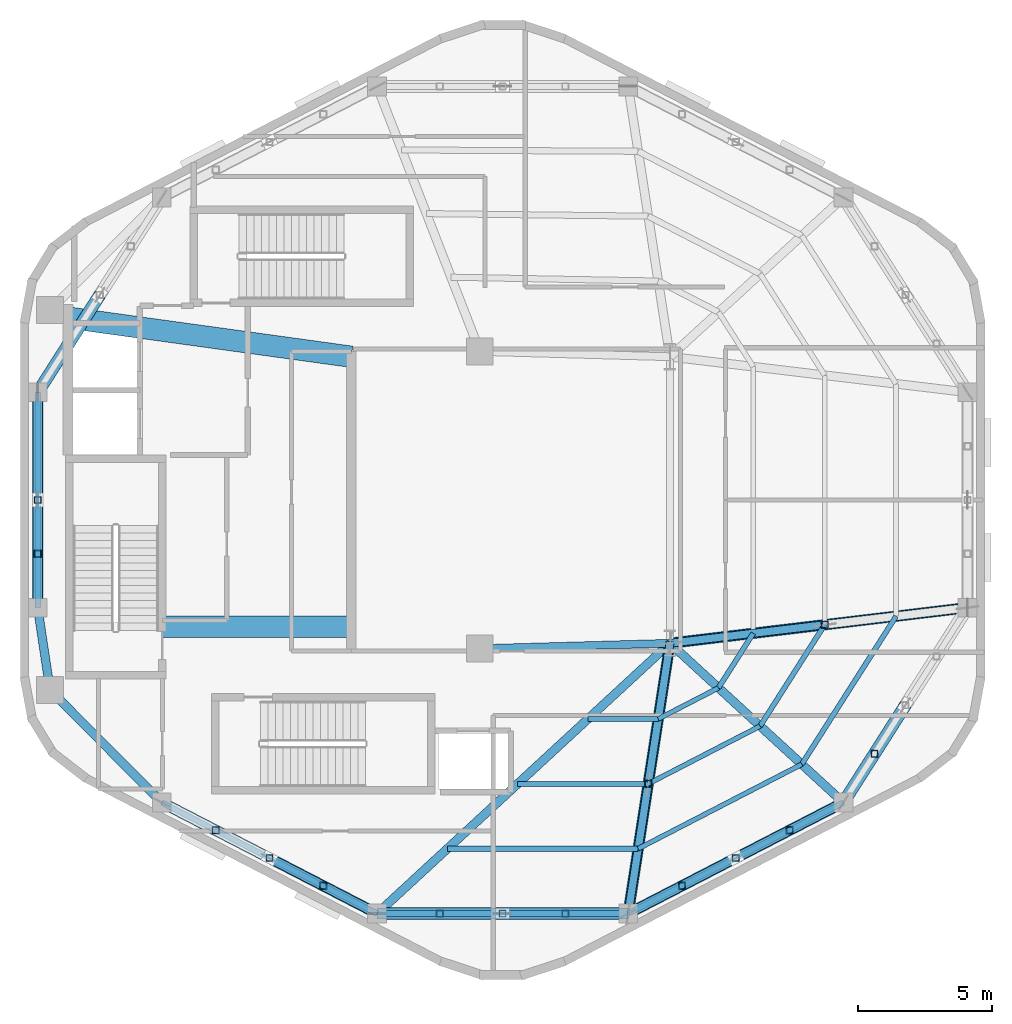
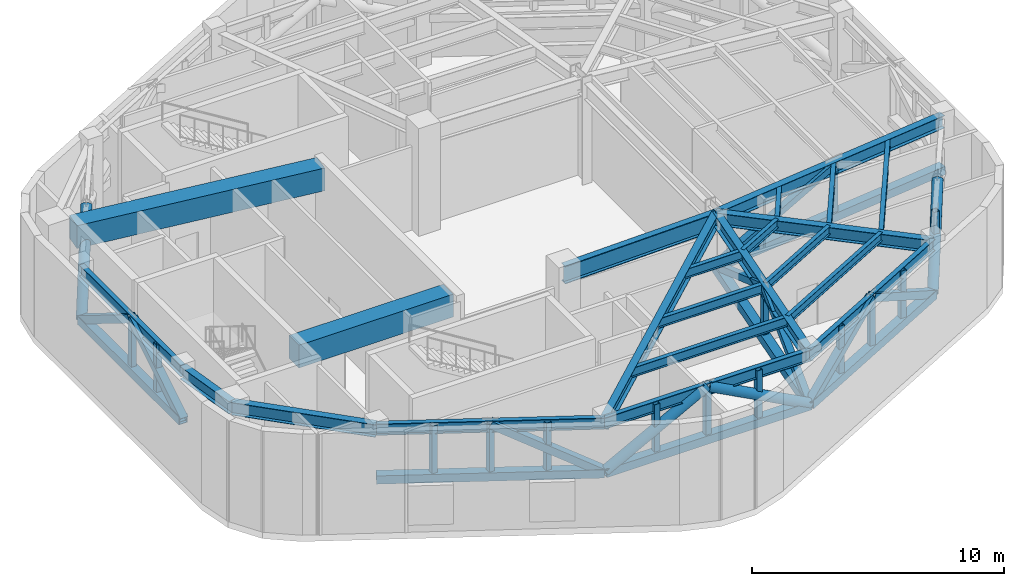
# One storey, part 2 of 8: 32 members, 22 beams.
"""IFC4 building model written with IfcOpenShell, lengths in metres."""

from ifc_helpers import new_model, si_unit, direction, frame, origin, origin_2d, place, context, subcontext, project, spatial, rectangle, hollow_rectangle, hollow_circle, i_section, extrude, material, material_profile, profile_set, type_object, element, save


model = new_model("IFC4")

# Units and contexts
model_context = context("Model", 3, precision=1e-05, world=origin(), true_north=direction((0.0, 1.0)))
body_context = subcontext(model_context, "Body", "Model", "MODEL_VIEW")
ifc_project = project(units=[si_unit("LENGTHUNIT", "METRE"), si_unit("AREAUNIT", "SQUARE_METRE"), si_unit("VOLUMEUNIT", "CUBIC_METRE"), si_unit("PLANEANGLEUNIT", "RADIAN"), si_unit("MASSUNIT", "GRAM", prefix="KILO"), si_unit("THERMODYNAMICTEMPERATUREUNIT", "KELVIN"), si_unit("POWERUNIT", "WATT")], contexts=[model_context])

# Site, building, storey
site_placement = place(None, origin())
site = spatial("IfcSite", under=ifc_project, at=site_placement, CompositionType="ELEMENT")
building_placement = place(site_placement, origin())
building = spatial("IfcBuilding", under=site, at=building_placement, Name="Skarre Station Tower", CompositionType="ELEMENT")
storey_placement = place(building_placement, frame((0.0, 0.0, 279.89990234375)))
storey = spatial("IfcBuildingStorey", under=building, at=storey_placement, Name="L76", CompositionType="ELEMENT", Elevation=279.89990234375)

# Beams
ifc_material_1 = material(Name="Concrete C70/85", Category="concrete")
ifc_material_profile_1 = material_profile(ifc_material_1, rectangle(XDim=0.800048828125, YDim=1.10009765625, at=origin_2d()), Name="Concrete C70/85")
ifc_profile_set_1 = profile_set([ifc_material_profile_1], Name="Concrete C70/85")
beam_type_1 = type_object("IfcBeamType", Name="RC Core Coupling Lintel 800x1100", PredefinedType="LINTEL", material=ifc_profile_set_1)
beam_1_placement = place(storey_placement, frame((20.489990234375, 19.260009765625, 4.340087890625), z_axis=(1.0, 0.0, 0.0), x_axis=(0.0, 1.0, 0.0)))
element("IfcBeam", 1, at=beam_1_placement, inside=storey, type_object=beam_type_1, Name="L76 South Core Coupling Lintel", PredefinedType="LINTEL", context=body_context, shape_type="SweptSolid", body=[
    extrude(rectangle(XDim=0.800048828125, YDim=1.10009765625, at=origin_2d()), origin(), (0.0, 0.0, 1.0), 7.06005859375),
])
beam_2_placement = place(storey_placement, frame((17.050048828125, 30.800048828125, 4.340087890625), z_axis=(0.990599723633, -0.136792498109, 0.0), x_axis=(0.136792498109, 0.990599723633, 0.0)))
element("IfcBeam", 2, at=beam_2_placement, inside=storey, type_object=beam_type_1, Name="L76 North Core Coupling Lintel", PredefinedType="LINTEL", context=body_context, shape_type="SweptSolid", body=[
    extrude(rectangle(XDim=0.800048828125, YDim=1.10009765625, at=origin_2d()), origin(), (0.0, 0.0, 1.0), 10.599609375),
])
ifc_material_2 = material(Name="Steel ASTM A992 Grade 50", Category="steel")
ifc_material_profile_2 = material_profile(ifc_material_2, i_section(OverallWidth=0.323974609375, OverallDepth=0.611083984375, WebThickness=0.012939453125, FlangeThickness=0.01904296875, at=origin_2d()), Name="Steel ASTM A992 Grade 50")
ifc_profile_set_2 = profile_set([ifc_material_profile_2], Name="Steel ASTM A992 Grade 50")
beam_type_2 = type_object("IfcBeamType", Name="Steel Beam W24X104", PredefinedType="BEAM", material=ifc_profile_set_2)
beam_3_placement = place(storey_placement, frame((16.300048828125, 16.89990234375, 4.585205078125), z_axis=(-0.148739188492, 0.988876460336, 0.0), x_axis=(-0.988876460336, -0.148739188492, 0.0)))
element("IfcBeam", 3, at=beam_3_placement, inside=storey, type_object=beam_type_2, Name="L76 Radial Floor Girder F2C2", PredefinedType="BEAM", context=body_context, shape_type="SweptSolid", body=[
    extrude(i_section(OverallWidth=0.323974609375, OverallDepth=0.611083984375, WebThickness=0.012939453125, FlangeThickness=0.01904296875, at=origin_2d()), origin(), (0.0, 0.0, 1.0), 3.11376953125),
])
beam_4_placement = place(storey_placement, frame((16.300048828125, 16.89990234375, 4.585205078125), z_axis=(0.704979413242, -0.709227768002, 0.0), x_axis=(0.709227768002, 0.704979413242, 0.0)))
element("IfcBeam", 4, at=beam_4_placement, inside=storey, type_object=beam_type_2, Name="L76 Radial Floor Girder F3C1", PredefinedType="BEAM", context=body_context, shape_type="SweptSolid", body=[
    extrude(i_section(OverallWidth=0.323974609375, OverallDepth=0.611083984375, WebThickness=0.012939453125, FlangeThickness=0.01904296875, at=origin_2d()), origin(), (0.0, 0.0, 1.0), 5.919189453125),
])
beam_5_placement = place(storey_placement, frame((39.449951171875, 18.64990234375, 4.585205078125), z_axis=(-0.734822935818, -0.678258986668, 0.0), x_axis=(0.678258986668, -0.734822935818, 0.0)))
element("IfcBeam", 5, at=beam_5_placement, inside=storey, type_object=beam_type_2, Name="L76 Radial Floor Girder F3C2", PredefinedType="BEAM", context=body_context, shape_type="SweptSolid", body=[
    extrude(i_section(OverallWidth=0.323974609375, OverallDepth=0.611083984375, WebThickness=0.012939453125, FlangeThickness=0.01904296875, at=origin_2d()), origin(), (0.0, 0.0, 1.0), 14.886474609375),
])
beam_6_placement = place(storey_placement, frame((39.449951171875, 18.64990234375, 4.585205078125), z_axis=(-0.152789762931, -0.988258715288, 0.0), x_axis=(0.988258715288, -0.152789762931, 0.0)))
element("IfcBeam", 6, at=beam_6_placement, inside=storey, type_object=beam_type_2, Name="L76 Radial Floor Girder F4C1", PredefinedType="BEAM", context=body_context, shape_type="SweptSolid", body=[
    extrude(i_section(OverallWidth=0.323974609375, OverallDepth=0.611083984375, WebThickness=0.012939453125, FlangeThickness=0.01904296875, at=origin_2d()), origin(), (0.0, 0.0, 1.0), 10.216796875),
])
beam_7_placement = place(storey_placement, frame((39.449951171875, 18.64990234375, 4.585205078125), z_axis=(0.736547671183, -0.676385635621, 0.0), x_axis=(0.676385635621, 0.736547671183, 0.0)))
element("IfcBeam", 7, at=beam_7_placement, inside=storey, type_object=beam_type_2, Name="L76 Radial Floor Girder F4C2", PredefinedType="BEAM", context=body_context, shape_type="SweptSolid", body=[
    extrude(i_section(OverallWidth=0.323974609375, OverallDepth=0.611083984375, WebThickness=0.012939453125, FlangeThickness=0.01904296875, at=origin_2d()), origin(), (0.0, 0.0, 1.0), 8.793701171875),
])
beam_8_placement = place(storey_placement, frame((39.449951171875, 18.64990234375, 4.585205078125), z_axis=(0.99292393128, 0.118752122891, 0.0), x_axis=(-0.118752122891, 0.99292393128, 0.0)))
element("IfcBeam", 8, at=beam_8_placement, inside=storey, type_object=beam_type_2, Name="L76 Radial Floor Girder F5C1", PredefinedType="BEAM", context=body_context, shape_type="SweptSolid", body=[
    extrude(i_section(OverallWidth=0.323974609375, OverallDepth=0.611083984375, WebThickness=0.012939453125, FlangeThickness=0.01904296875, at=origin_2d()), origin(), (0.0, 0.0, 1.0), 11.192138671875),
])
ifc_material_profile_3 = material_profile(ifc_material_2, i_section(OverallWidth=0.2919921875, OverallDepth=0.85888671875, WebThickness=0.01708984375, FlangeThickness=0.031005859375, at=origin_2d()), Name="Steel ASTM A992 Grade 50")
ifc_profile_set_3 = profile_set([ifc_material_profile_3], Name="Steel ASTM A992 Grade 50")
beam_type_3 = type_object("IfcBeamType", Name="Steel Beam W33X169", PredefinedType="BEAM", material=ifc_profile_set_3)
beam_9_placement = place(storey_placement, frame((32.35009765625, 18.449951171875, 4.461181640625), z_axis=(0.999603666405, 0.028151556095, 0.0), x_axis=(-0.028151556095, 0.999603666405, 0.0)))
element("IfcBeam", 9, at=beam_9_placement, inside=storey, type_object=beam_type_3, Name="L76 Atrium South Edge Girder", PredefinedType="BEAM", context=body_context, shape_type="SweptSolid", body=[
    extrude(i_section(OverallWidth=0.2919921875, OverallDepth=0.85888671875, WebThickness=0.01708984375, FlangeThickness=0.031005859375, at=origin_2d()), origin(), (0.0, 0.0, 1.0), 7.102783203125),
])
ifc_material_profile_4 = material_profile(ifc_material_2, i_section(OverallWidth=0.177978515625, OverallDepth=0.403076171875, WebThickness=0.008056640625, FlangeThickness=0.010986328125, at=origin_2d()), Name="Steel ASTM A992 Grade 50")
ifc_profile_set_4 = profile_set([ifc_material_profile_4], Name="Steel ASTM A992 Grade 50")
beam_type_4 = type_object("IfcBeamType", Name="Steel Joist W16X36", PredefinedType="JOIST", material=ifc_profile_set_4)
beam_10_placement = place(storey_placement, frame((39.012939453125, 15.822998046875, 4.689208984375), z_axis=(0.888569970054, 0.458741112522, 0.0), x_axis=(-0.458741112522, 0.888569970054, 0.0)))
element("IfcBeam", 10, at=beam_10_placement, inside=storey, type_object=beam_type_4, Name="L76 Auxiliary Composite Joist 15", PredefinedType="JOIST", context=body_context, shape_type="SweptSolid", body=[
    extrude(i_section(OverallWidth=0.177978515625, OverallDepth=0.403076171875, WebThickness=0.008056640625, FlangeThickness=0.010986328125, at=origin_2d()), origin(), (0.0, 0.0, 1.0), 2.533203125),
])
beam_11_placement = place(storey_placement, frame((38.637939453125, 13.39990234375, 4.689208984375), z_axis=(0.88866637077, 0.458554338614, 0.0), x_axis=(-0.458554338614, 0.88866637077, 0.0)))
element("IfcBeam", 11, at=beam_11_placement, inside=storey, type_object=beam_type_4, Name="L76 Auxiliary Composite Joist 16", PredefinedType="JOIST", context=body_context, shape_type="SweptSolid", body=[
    extrude(i_section(OverallWidth=0.177978515625, OverallDepth=0.403076171875, WebThickness=0.008056640625, FlangeThickness=0.010986328125, at=origin_2d()), origin(), (0.0, 0.0, 1.0), 4.703857421875),
])
beam_12_placement = place(storey_placement, frame((38.263916015625, 10.97607421875, 4.689208984375), z_axis=(0.888578636, 0.458724326414, 0.0), x_axis=(-0.458724326414, 0.888578636, 0.0)))
element("IfcBeam", 12, at=beam_12_placement, inside=storey, type_object=beam_type_4, Name="L76 Auxiliary Composite Joist 17", PredefinedType="JOIST", context=body_context, shape_type="SweptSolid", body=[
    extrude(i_section(OverallWidth=0.177978515625, OverallDepth=0.403076171875, WebThickness=0.008056640625, FlangeThickness=0.010986328125, at=origin_2d()), origin(), (0.0, 0.0, 1.0), 6.875244140625),
])
ifc_material_profile_5 = material_profile(ifc_material_2, i_section(OverallWidth=0.19091796875, OverallDepth=0.45703125, WebThickness=0.009033203125, FlangeThickness=0.013916015625, at=origin_2d()), Name="Steel ASTM A992 Grade 50")
ifc_profile_set_5 = profile_set([ifc_material_profile_5], Name="Steel ASTM A992 Grade 50")
beam_type_5 = type_object("IfcBeamType", Name="Steel Joist W18X50", PredefinedType="JOIST", material=ifc_profile_set_5)
beam_13_placement = place(storey_placement, frame((36.386962890625, 15.822998046875, 4.662109375), z_axis=(1.0, 0.0, 0.0), x_axis=(0.0, 1.0, 0.0)))
element("IfcBeam", 13, at=beam_13_placement, inside=storey, type_object=beam_type_5, Name="L76 Auxiliary Composite Joist 12", PredefinedType="JOIST", context=body_context, shape_type="SweptSolid", body=[
    extrude(i_section(OverallWidth=0.19091796875, OverallDepth=0.45703125, WebThickness=0.009033203125, FlangeThickness=0.013916015625, at=origin_2d()), origin(), (0.0, 0.0, 1.0), 2.6259765625),
])
beam_14_placement = place(storey_placement, frame((33.761962890625, 13.39990234375, 4.662109375), z_axis=(1.0, 0.0, 0.0), x_axis=(0.0, 1.0, 0.0)))
element("IfcBeam", 14, at=beam_14_placement, inside=storey, type_object=beam_type_5, Name="L76 Auxiliary Composite Joist 13", PredefinedType="JOIST", context=body_context, shape_type="SweptSolid", body=[
    extrude(i_section(OverallWidth=0.19091796875, OverallDepth=0.45703125, WebThickness=0.009033203125, FlangeThickness=0.013916015625, at=origin_2d()), origin(), (0.0, 0.0, 1.0), 4.8759765625),
])
beam_15_placement = place(storey_placement, frame((31.135986328125, 10.97607421875, 4.662109375), z_axis=(1.0, 0.0, 0.0), x_axis=(0.0, 1.0, 0.0)))
element("IfcBeam", 15, at=beam_15_placement, inside=storey, type_object=beam_type_5, Name="L76 Auxiliary Composite Joist 14", PredefinedType="JOIST", context=body_context, shape_type="SweptSolid", body=[
    extrude(i_section(OverallWidth=0.19091796875, OverallDepth=0.45703125, WebThickness=0.009033203125, FlangeThickness=0.013916015625, at=origin_2d()), origin(), (0.0, 0.0, 1.0), 7.1279296875),
])
beam_16_placement = place(storey_placement, frame((41.263916015625, 16.985107421875, 4.662109375), z_axis=(0.537437848622, 0.843303361116, 0.0), x_axis=(-0.843303361116, 0.537437848622, 0.0)))
element("IfcBeam", 16, at=beam_16_placement, inside=storey, type_object=beam_type_5, Name="L76 Auxiliary Composite Joist 18", PredefinedType="JOIST", context=body_context, shape_type="SweptSolid", body=[
    extrude(i_section(OverallWidth=0.19091796875, OverallDepth=0.45703125, WebThickness=0.009033203125, FlangeThickness=0.013916015625, at=origin_2d()), origin(), (0.0, 0.0, 1.0), 2.415283203125),
])
beam_17_placement = place(storey_placement, frame((42.818115234375, 15.556884765625, 4.662109375), z_axis=(0.53731551376, 0.843381312737, 0.0), x_axis=(-0.843381312737, 0.53731551376, 0.0)))
element("IfcBeam", 17, at=beam_17_placement, inside=storey, type_object=beam_type_5, Name="L76 Auxiliary Composite Joist 19", PredefinedType="JOIST", context=body_context, shape_type="SweptSolid", body=[
    extrude(i_section(OverallWidth=0.19091796875, OverallDepth=0.45703125, WebThickness=0.009033203125, FlangeThickness=0.013916015625, at=origin_2d()), origin(), (0.0, 0.0, 1.0), 4.48681640625),
])
beam_18_placement = place(storey_placement, frame((44.373046875, 14.1298828125, 4.662109375), z_axis=(0.537292232804, 0.843396144507, 0.0), x_axis=(-0.843396144507, 0.537292232804, 0.0)))
element("IfcBeam", 18, at=beam_18_placement, inside=storey, type_object=beam_type_5, Name="L76 Auxiliary Composite Joist 20", PredefinedType="JOIST", context=body_context, shape_type="SweptSolid", body=[
    extrude(i_section(OverallWidth=0.19091796875, OverallDepth=0.45703125, WebThickness=0.009033203125, FlangeThickness=0.013916015625, at=origin_2d()), origin(), (0.0, 0.0, 1.0), 6.556884765625),
])
ifc_material_profile_6 = material_profile(ifc_material_2, i_section(OverallWidth=0.214111328125, OverallDepth=0.549072265625, WebThickness=0.014892578125, FlangeThickness=0.02392578125, at=origin_2d()), Name="Steel ASTM A992 Grade 50")
ifc_profile_set_6 = profile_set([ifc_material_profile_6], Name="Steel ASTM A992 Grade 50")
beam_type_6 = type_object("IfcBeamType", Name="Steel Spandrel W21X93", PredefinedType="SPANDREL", material=ifc_profile_set_6)
beam_19_placement = place(storey_placement, frame((15.8369140625, 28.02099609375, 4.6162109375), z_axis=(0.0, -1.0, 0.0), x_axis=(1.0, 0.0, 0.0)))
element("IfcBeam", 19, at=beam_19_placement, inside=storey, type_object=beam_type_6, Name="L76 Facet Spandrel Beam 5", PredefinedType="SPANDREL", context=body_context, shape_type="SweptSolid", body=[
    extrude(i_section(OverallWidth=0.214111328125, OverallDepth=0.549072265625, WebThickness=0.014892578125, FlangeThickness=0.02392578125, at=origin_2d()), origin(), (0.0, 0.0, 1.0), 8.0419921875),
])
beam_20_placement = place(storey_placement, frame((20.472900390625, 12.701904296875, 4.6162109375), z_axis=(0.888610011727, -0.458663544505, 0.0), x_axis=(0.458663544505, 0.888610011727, 0.0)))
element("IfcBeam", 20, at=beam_20_placement, inside=storey, type_object=beam_type_6, Name="L76 Facet Spandrel Beam 7", PredefinedType="SPANDREL", context=body_context, shape_type="SweptSolid", body=[
    extrude(i_section(OverallWidth=0.214111328125, OverallDepth=0.549072265625, WebThickness=0.014892578125, FlangeThickness=0.02392578125, at=origin_2d()), origin(), (0.0, 0.0, 1.0), 9.045654296875),
])
beam_21_placement = place(storey_placement, frame((28.510986328125, 8.552978515625, 4.6162109375), z_axis=(1.0, 0.0, 0.0), x_axis=(0.0, 1.0, 0.0)))
element("IfcBeam", 21, at=beam_21_placement, inside=storey, type_object=beam_type_6, Name="L76 Facet Spandrel Beam 8", PredefinedType="SPANDREL", context=body_context, shape_type="SweptSolid", body=[
    extrude(i_section(OverallWidth=0.214111328125, OverallDepth=0.549072265625, WebThickness=0.014892578125, FlangeThickness=0.02392578125, at=origin_2d()), origin(), (0.0, 0.0, 1.0), 9.3779296875),
])
beam_22_placement = place(storey_placement, frame((37.888916015625, 8.552978515625, 4.6162109375), z_axis=(0.888610011727, 0.458663544505, 0.0), x_axis=(-0.458663544505, 0.888610011727, 0.0)))
element("IfcBeam", 22, at=beam_22_placement, inside=storey, type_object=beam_type_6, Name="L76 Facet Spandrel Beam 9", PredefinedType="SPANDREL", context=body_context, shape_type="SweptSolid", body=[
    extrude(i_section(OverallWidth=0.214111328125, OverallDepth=0.549072265625, WebThickness=0.014892578125, FlangeThickness=0.02392578125, at=origin_2d()), origin(), (0.0, 0.0, 1.0), 9.045654296875),
])

# Members
ifc_material_3 = material(Name="Steel ASTM A500 Grade C", Category="steel")
ifc_material_profile_7 = material_profile(ifc_material_3, hollow_circle(Radius=0.228515625, WallThickness=0.02001953125, at=origin_2d()), Name="Steel ASTM A500 Grade C")
ifc_profile_set_7 = profile_set([ifc_material_profile_7], Name="Steel ASTM A500 Grade C")
member_type_1 = type_object("IfcMemberType", Name="Steel Truss Brace CHS457X20", PredefinedType="BRACE", material=ifc_profile_set_7)
member_1_placement = place(storey_placement, frame((15.8369140625, 28.02099609375, 2.25), z_axis=(0.465344099577, 0.73048486616, 0.499846705801), x_axis=(-0.84340509311, 0.537278185782, 0.0)))
element("IfcMember", 23, at=member_1_placement, inside=storey, type_object=member_type_1, Name="L76 Belt Truss Chevron Diagonal 4B", PredefinedType="BRACE", context=body_context, shape_type="SweptSolid", body=[
    extrude(hollow_circle(Radius=0.228515625, WallThickness=0.02001953125, at=origin_2d()), origin(), (0.0, 0.0, 1.0), 4.9814453125),
])
for number, where, z_axis, x_axis, name in (
    (24, (28.510986328125, 8.552978515625, 2.25), (0.883195489421, 0.0, 0.469005039915), (0.0, 1.0, 0.0), "L76 Belt Truss Chevron Diagonal 8A"),
    (25, (37.888916015625, 8.552978515625, 2.25), (-0.883195489421, 0.0, 0.469005039915), (0.0, -1.0, 0.0), "L76 Belt Truss Chevron Diagonal 8B"),
):
    element("IfcMember", number, at=place(storey_placement, frame(where, z_axis=z_axis, x_axis=x_axis)), inside=storey, type_object=member_type_1, Name=name, PredefinedType="BRACE", context=body_context, shape_type="SweptSolid", body=[
        extrude(hollow_circle(Radius=0.228515625, WallThickness=0.02001953125, at=origin_2d()), origin(), (0.0, 0.0, 1.0), 5.30908203125),
    ])
member_2_placement = place(storey_placement, frame((45.927001953125, 12.701904296875, 2.25), z_axis=(0.465394081411, 0.730416282378, 0.499900393503), x_axis=(-0.843356079444, 0.537355118395, 0.0)))
element("IfcMember", 26, at=member_2_placement, inside=storey, type_object=member_type_1, Name="L76 Belt Truss Chevron Diagonal 10A", PredefinedType="BRACE", context=body_context, shape_type="SweptSolid", body=[
    extrude(hollow_circle(Radius=0.228515625, WallThickness=0.02001953125, at=origin_2d()), origin(), (0.0, 0.0, 1.0), 4.98095703125),
])
ifc_material_profile_8 = material_profile(ifc_material_3, hollow_rectangle(XDim=0.300048828125, YDim=0.300048828125, WallThickness=0.01611328125, at=origin_2d()), Name="Steel ASTM A500 Grade C")
ifc_profile_set_8 = profile_set([ifc_material_profile_8], Name="Steel ASTM A500 Grade C")
member_type_2 = type_object("IfcMemberType", Name="Steel Truss Brace HSS300X300X16", PredefinedType="BRACE", material=ifc_profile_set_8)
member_3_placement = place(storey_placement, frame((39.449951171875, 18.64990234375, 2.25), z_axis=(-0.138402771463, -0.894832590961, 0.424404650075), x_axis=(0.988249181952, -0.152851412722, 0.0)))
element("IfcMember", 27, at=member_3_placement, inside=storey, type_object=member_type_2, Name="L76 Outrigger Truss Diagonal 2A", PredefinedType="BRACE", context=body_context, shape_type="SweptSolid", body=[
    extrude(hollow_rectangle(XDim=0.300048828125, YDim=0.300048828125, WallThickness=0.01611328125, at=origin_2d()), origin(), (0.0, 0.0, 1.0), 5.866943359375),
])
member_4_placement = place(storey_placement, frame((37.888916015625, 8.552978515625, 2.25), z_axis=(0.136177620876, 0.881204141865, 0.452697377872), x_axis=(-0.988269037297, 0.152722984256, 0.0)))
element("IfcMember", 28, at=member_4_placement, inside=storey, type_object=member_type_2, Name="L76 Outrigger Truss Diagonal 2B", PredefinedType="BRACE", context=body_context, shape_type="SweptSolid", body=[
    extrude(hollow_rectangle(XDim=0.300048828125, YDim=0.300048828125, WallThickness=0.01611328125, at=origin_2d()), origin(), (0.0, 0.0, 1.0), 5.500244140625),
])
member_5_placement = place(storey_placement, frame((39.449951171875, 18.64990234375, 2.25), z_axis=(0.912890674578, 0.109179734685, 0.393332431668), x_axis=(-0.118751545976, 0.992924000278, 0.0)))
element("IfcMember", 29, at=member_5_placement, inside=storey, type_object=member_type_2, Name="L76 Outrigger Truss Diagonal 3A", PredefinedType="BRACE", context=body_context, shape_type="SweptSolid", body=[
    extrude(hollow_rectangle(XDim=0.300048828125, YDim=0.300048828125, WallThickness=0.01611328125, at=origin_2d()), origin(), (0.0, 0.0, 1.0), 6.33056640625),
])
ifc_material_profile_9 = material_profile(ifc_material_3, hollow_rectangle(XDim=0.35009765625, YDim=0.35009765625, WallThickness=0.02001953125, at=origin_2d()), Name="Steel ASTM A500 Grade C")
ifc_profile_set_9 = profile_set([ifc_material_profile_9], Name="Steel ASTM A500 Grade C")
member_type_3 = type_object("IfcMemberType", Name="Steel Truss Brace HSS350X350X20", PredefinedType="BRACE", material=ifc_profile_set_9)
for number, where, z_axis, x_axis, name in (
    (30, (15.8369140625, 28.02099609375, 2.25), (0.0, -0.85018923036, 0.526477228928), (1.0, 0.0, 0.0), "L76 Belt Truss Chevron Diagonal 5A"),
    (31, (15.8369140625, 19.97900390625, 2.25), (0.0, 0.85018923036, 0.526477228928), (-1.0, 0.0, 0.0), "L76 Belt Truss Chevron Diagonal 5B"),
):
    element("IfcMember", number, at=place(storey_placement, frame(where, z_axis=z_axis, x_axis=x_axis)), inside=storey, type_object=member_type_3, Name=name, PredefinedType="BRACE", context=body_context, shape_type="SweptSolid", body=[
        extrude(hollow_rectangle(XDim=0.35009765625, YDim=0.35009765625, WallThickness=0.02001953125, at=origin_2d()), origin(), (0.0, 0.0, 1.0), 4.7294921875),
    ])
for number, where, z_axis, x_axis, name in (
    (32, (28.510986328125, 8.552978515625, 2.25), (-0.778408196627, 0.401876519447, 0.482261280367), (-0.458748785547, -0.888566008668, 0.0), "L76 Belt Truss Chevron Diagonal 7B"),
    (33, (37.888916015625, 8.552978515625, 2.25), (0.778408196627, 0.401876519447, 0.482261280367), (-0.458748785547, 0.888566008668, 0.0), "L76 Belt Truss Chevron Diagonal 9A"),
):
    element("IfcMember", number, at=place(storey_placement, frame(where, z_axis=z_axis, x_axis=x_axis)), inside=storey, type_object=member_type_3, Name=name, PredefinedType="BRACE", context=body_context, shape_type="SweptSolid", body=[
        extrude(hollow_rectangle(XDim=0.35009765625, YDim=0.35009765625, WallThickness=0.02001953125, at=origin_2d()), origin(), (0.0, 0.0, 1.0), 5.1630859375),
    ])
member_6_placement = place(storey_placement, frame((45.927001953125, 12.701904296875, 2.25), z_axis=(-0.778467357166, -0.401717907856, 0.482297933164), x_axis=(0.458578290801, -0.888654010966, 0.0)))
element("IfcMember", 34, at=member_6_placement, inside=storey, type_object=member_type_3, Name="L76 Belt Truss Chevron Diagonal 9B", PredefinedType="BRACE", context=body_context, shape_type="SweptSolid", body=[
    extrude(hollow_rectangle(XDim=0.35009765625, YDim=0.35009765625, WallThickness=0.02001953125, at=origin_2d()), origin(), (0.0, 0.0, 1.0), 5.162841796875),
])
ifc_material_profile_10 = material_profile(ifc_material_3, hollow_rectangle(XDim=0.39990234375, YDim=0.39990234375, WallThickness=0.02197265625, at=origin_2d()), Name="Steel ASTM A500 Grade C")
ifc_profile_set_10 = profile_set([ifc_material_profile_10], Name="Steel ASTM A500 Grade C")
member_type_4 = type_object("IfcMemberType", Name="Steel Truss Chord HSS400X400X22", PredefinedType="CHORD", material=ifc_profile_set_10)
member_7_placement = place(storey_placement, frame((15.8369140625, 28.02099609375, 2.25), z_axis=(0.0, -1.0, 0.0), x_axis=(1.0, 0.0, 0.0)))
element("IfcMember", 35, at=member_7_placement, inside=storey, type_object=member_type_4, Name="L76 Belt Truss Bottom Chord 5", PredefinedType="CHORD", context=body_context, shape_type="SweptSolid", body=[
    extrude(hollow_rectangle(XDim=0.39990234375, YDim=0.39990234375, WallThickness=0.02197265625, at=origin_2d()), origin(), (0.0, 0.0, 1.0), 8.0419921875),
])
member_8_placement = place(storey_placement, frame((20.472900390625, 12.701904296875, 2.25), z_axis=(0.888610011727, -0.458663544505, 0.0), x_axis=(0.458663544505, 0.888610011727, 0.0)))
element("IfcMember", 36, at=member_8_placement, inside=storey, type_object=member_type_4, Name="L76 Belt Truss Bottom Chord 7", PredefinedType="CHORD", context=body_context, shape_type="SweptSolid", body=[
    extrude(hollow_rectangle(XDim=0.39990234375, YDim=0.39990234375, WallThickness=0.02197265625, at=origin_2d()), origin(), (0.0, 0.0, 1.0), 9.045654296875),
])
member_9_placement = place(storey_placement, frame((28.510986328125, 8.552978515625, 2.25), z_axis=(1.0, 0.0, 0.0), x_axis=(0.0, 1.0, 0.0)))
element("IfcMember", 37, at=member_9_placement, inside=storey, type_object=member_type_4, Name="L76 Belt Truss Bottom Chord 8", PredefinedType="CHORD", context=body_context, shape_type="SweptSolid", body=[
    extrude(hollow_rectangle(XDim=0.39990234375, YDim=0.39990234375, WallThickness=0.02197265625, at=origin_2d()), origin(), (0.0, 0.0, 1.0), 9.3779296875),
])
member_10_placement = place(storey_placement, frame((37.888916015625, 8.552978515625, 2.25), z_axis=(0.888610011727, 0.458663544505, 0.0), x_axis=(-0.458663544505, 0.888610011727, 0.0)))
element("IfcMember", 38, at=member_10_placement, inside=storey, type_object=member_type_4, Name="L76 Belt Truss Bottom Chord 9", PredefinedType="CHORD", context=body_context, shape_type="SweptSolid", body=[
    extrude(hollow_rectangle(XDim=0.39990234375, YDim=0.39990234375, WallThickness=0.02197265625, at=origin_2d()), origin(), (0.0, 0.0, 1.0), 9.045654296875),
])
member_11_placement = place(storey_placement, frame((39.449951171875, 18.64990234375, 2.25), z_axis=(-0.152789762931, -0.988258715288, 0.0), x_axis=(0.988258715288, -0.152789762931, 0.0)))
element("IfcMember", 39, at=member_11_placement, inside=storey, type_object=member_type_4, Name="L76 Outrigger Truss Bottom Chord 2", PredefinedType="CHORD", context=body_context, shape_type="SweptSolid", body=[
    extrude(hollow_rectangle(XDim=0.39990234375, YDim=0.39990234375, WallThickness=0.02197265625, at=origin_2d()), origin(), (0.0, 0.0, 1.0), 10.216796875),
])
member_12_placement = place(storey_placement, frame((39.449951171875, 18.64990234375, 2.25), z_axis=(0.99292393128, 0.118752122891, 0.0), x_axis=(-0.118752122891, 0.99292393128, 0.0)))
element("IfcMember", 40, at=member_12_placement, inside=storey, type_object=member_type_4, Name="L76 Outrigger Truss Bottom Chord 3", PredefinedType="CHORD", context=body_context, shape_type="SweptSolid", body=[
    extrude(hollow_rectangle(XDim=0.39990234375, YDim=0.39990234375, WallThickness=0.02197265625, at=origin_2d()), origin(), (0.0, 0.0, 1.0), 11.192138671875),
])
ifc_material_profile_11 = material_profile(ifc_material_3, hollow_rectangle(XDim=0.25, YDim=0.25, WallThickness=0.01611328125, at=origin_2d()), Name="Steel ASTM A500 Grade C")
ifc_profile_set_11 = profile_set([ifc_material_profile_11], Name="Steel ASTM A500 Grade C")
member_type_5 = type_object("IfcMemberType", Name="Steel Truss Strut HSS250X250X16", PredefinedType="STRUT", material=ifc_profile_set_11)
for number, where, z_axis, x_axis, name in (
    (41, (15.8369140625, 24.0, 2.25), (0.0, 0.0, 1.0), (1.0, 0.0, 0.0), "L76 Belt Truss Web Post 5-2"),
    (42, (15.8369140625, 21.989013671875, 2.25), (0.0, 0.0, 1.0), (1.0, 0.0, 0.0), "L76 Belt Truss Web Post 5-3"),
    (43, (22.48291015625, 11.6650390625, 2.25), (0.0, 0.0, 1.0), (1.0, 0.0, 0.0), "L76 Belt Truss Web Post 7-1"),
    (44, (24.491943359375, 10.6279296875, 2.25), (0.0, 0.0, 1.0), (1.0, 0.0, 0.0), "L76 Belt Truss Web Post 7-2"),
    (45, (26.501953125, 9.591064453125, 2.25), (0.0, 0.0, 1.0), (1.0, 0.0, 0.0), "L76 Belt Truss Web Post 7-3"),
    (46, (30.85498046875, 8.552978515625, 2.25), (0.0, 0.0, 1.0), (1.0, 0.0, 0.0), "L76 Belt Truss Web Post 8-1"),
    (47, (33.199951171875, 8.552978515625, 2.25), (0.0, 0.0, 1.0), (1.0, 0.0, 0.0), "L76 Belt Truss Web Post 8-2"),
    (48, (35.5439453125, 8.552978515625, 2.25), (0.0, 0.0, 1.0), (1.0, 0.0, 0.0), "L76 Belt Truss Web Post 8-3"),
    (49, (39.89794921875, 9.591064453125, 2.25), (0.0, 0.0, 1.0), (1.0, 0.0, 0.0), "L76 Belt Truss Web Post 9-1"),
    (50, (41.907958984375, 10.6279296875, 2.25), (0.0, 0.0, 1.0), (1.0, 0.0, 0.0), "L76 Belt Truss Web Post 9-2"),
    (51, (43.91796875, 11.6650390625, 2.25), (0.0, 0.0, 1.0), (1.0, 0.0, 0.0), "L76 Belt Truss Web Post 9-3"),
    (52, (47.0859375, 14.52099609375, 2.25), (0.0, 0.0, 1.0), (1.0, 0.0, 0.0), "L76 Belt Truss Web Post 10-1"),
    (53, (38.637939453125, 13.39990234375, 2.25), (0.0, 0.0, 1.0), (1.0, 0.0, 0.0), "L76 Outrigger Truss Web Post 2"),
    (54, (45.22900390625, 19.341064453125, 2.25), (0.0, 0.0, 1.0), (1.0, 0.0, 0.0), "L76 Outrigger Truss Web Post 3"),
):
    element("IfcMember", number, at=place(storey_placement, frame(where, z_axis=z_axis, x_axis=x_axis)), inside=storey, type_object=member_type_5, Name=name, PredefinedType="STRUT", context=body_context, shape_type="SweptSolid", body=[
        extrude(hollow_rectangle(XDim=0.25, YDim=0.25, WallThickness=0.01611328125, at=origin_2d()), origin(), (0.0, 0.0, 1.0), 2.489990234375),
    ])

save(model, "model.ifc")
